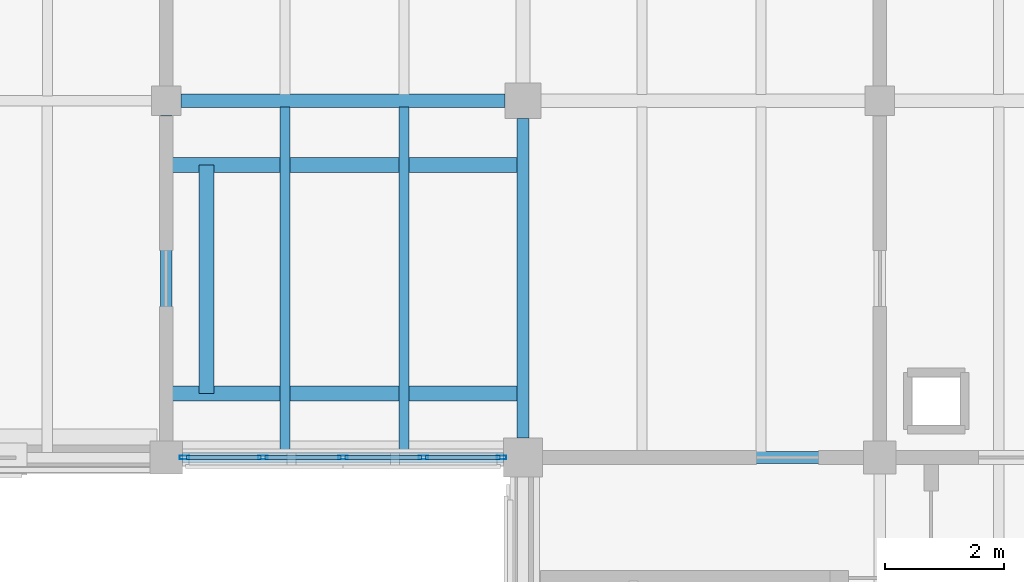
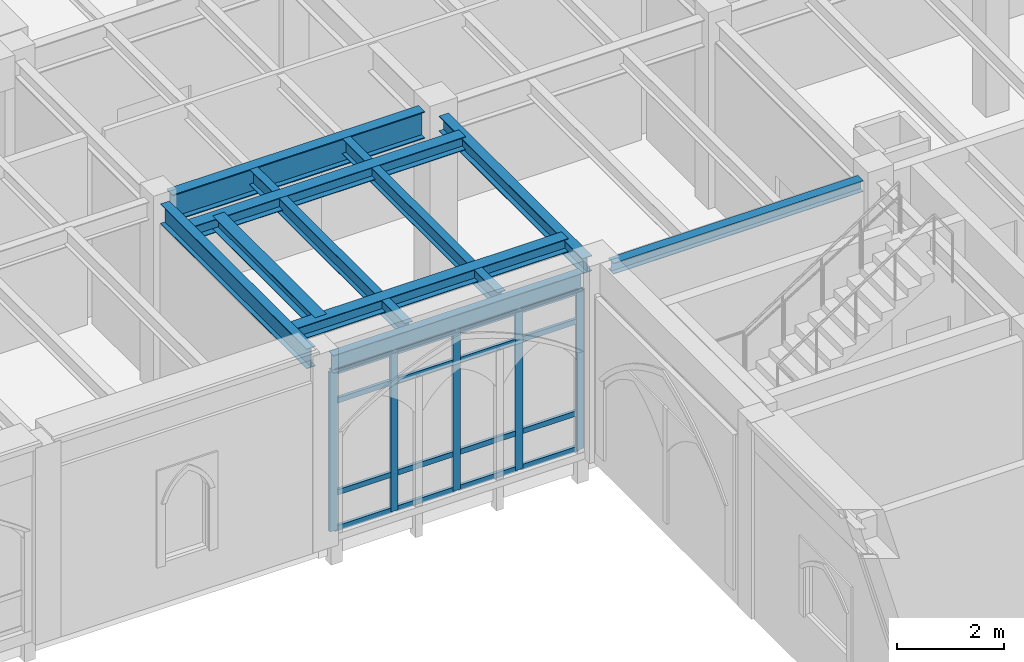
# One storey, part 28 of 143: 21 members, 10 beams, 1 element without a shape of its own.
"""IFC4 building model written with IfcOpenShell, lengths in metres."""

from ifc_helpers import new_model, si_unit, direction, frame, origin, origin_2d, place, context, subcontext, project, spatial, hollow_rectangle, i_section, extrude, material, layer, layer_set, material_profile, profile_set, type_object, element, aggregate, save


model = new_model("IFC4")

# Units and contexts
model_context = context("Model", 3, precision=1e-05, world=origin(), true_north=direction((0.0, 1.0)))
body_context = subcontext(model_context, "Body", "Model", "MODEL_VIEW")
ifc_project = project(units=[si_unit("LENGTHUNIT", "METRE"), si_unit("AREAUNIT", "SQUARE_METRE"), si_unit("VOLUMEUNIT", "CUBIC_METRE"), si_unit("PLANEANGLEUNIT", "RADIAN"), si_unit("MASSUNIT", "GRAM", prefix="KILO")], contexts=[model_context])

# Site, building, storey
site_placement = place(None, origin())
site = spatial("IfcSite", under=ifc_project, at=site_placement, CompositionType="ELEMENT")
building_placement = place(site_placement, origin())
building = spatial("IfcBuilding", under=site, at=building_placement, Name="Cumevento Cable Car Station", CompositionType="ELEMENT")
storey_placement = place(building_placement, frame((0.0, 0.0, 9.0)))
storey = spatial("IfcBuildingStorey", under=building, at=storey_placement, Name="L03", CompositionType="ELEMENT", Elevation=9.0)

# Curtain wall, members
ifc_material_1 = material(Name="Anodised Bronze Aluminium AW-6063-T6", Category="aluminium")
ifc_layer = layer(ifc_material_1, 0.2080078125)
ifc_layer_set = layer_set([ifc_layer], Name="Anodised Bronze Aluminium AW-6063-T6")
curtain_wall_type = type_object("IfcCurtainWallType", Name="Lancet Curtain Wall CW-09 1370", PredefinedType="NOTDEFINED", material=ifc_layer_set)
curtain_wall_placement = place(storey_placement, origin())
curtain_wall = element("IfcCurtainWall", 1, at=curtain_wall_placement, inside=storey, type_object=curtain_wall_type, Name="Lancet Curtain Wall CW-09 L03 #104", PredefinedType="NOTDEFINED")
ifc_material_2 = material(Name="Anodised Bronze Aluminium AW-6063-T6", Category="aluminium")
ifc_material_profile_1 = material_profile(ifc_material_2, hollow_rectangle(XDim=0.06494140625, YDim=0.159912109375, WallThickness=0.00390625, at=origin_2d()), Name="ALUM65x160x4")
ifc_profile_set_1 = profile_set([ifc_material_profile_1], Name="Anodised Bronze Aluminium AW-6063-T6")
member_type_1 = type_object("IfcMemberType", Name="Curtain Mullion CWM-01 ALUM65x160x4", PredefinedType="MULLION", material=ifc_profile_set_1)
member_1_placement = place(storey_placement, frame((57.642578125, 45.0, 0.159912109375), z_axis=(0.0, 0.0, 1.0), x_axis=(0.0, -1.0, 0.0)))
member_1 = element("IfcMember", 2, at=member_1_placement, type_object=member_type_1, Name="CW-09 mullion 1", PredefinedType="MULLION", context=body_context, shape_type="SweptSolid", body=[
    extrude(hollow_rectangle(XDim=0.06494140625, YDim=0.159912109375, WallThickness=0.00390625, at=origin_2d()), origin(), (0.0, 0.0, 1.0), 3.649169921875),
])
member_2_placement = place(storey_placement, frame((56.324951171875, 45.0, 0.159912109375), z_axis=(0.0, 0.0, 1.0), x_axis=(0.0, -1.0, 0.0)))
member_2 = element("IfcMember", 3, at=member_2_placement, type_object=member_type_1, Name="CW-09 mullion 2", PredefinedType="MULLION", context=body_context, shape_type="SweptSolid", body=[
    extrude(hollow_rectangle(XDim=0.06494140625, YDim=0.159912109375, WallThickness=0.00390625, at=origin_2d()), origin(), (0.0, 0.0, 1.0), 3.649169921875),
])
member_3_placement = place(storey_placement, frame((54.97509765625, 45.0, 0.159912109375), z_axis=(0.0, 0.0, 1.0), x_axis=(0.0, -1.0, 0.0)))
member_3 = element("IfcMember", 4, at=member_3_placement, type_object=member_type_1, Name="CW-09 mullion 3", PredefinedType="MULLION", context=body_context, shape_type="SweptSolid", body=[
    extrude(hollow_rectangle(XDim=0.06494140625, YDim=0.159912109375, WallThickness=0.00390625, at=origin_2d()), origin(), (0.0, 0.0, 1.0), 3.649169921875),
])
member_4_placement = place(storey_placement, frame((53.625, 45.0, 0.159912109375), z_axis=(0.0, 0.0, 1.0), x_axis=(0.0, -1.0, 0.0)))
member_4 = element("IfcMember", 5, at=member_4_placement, type_object=member_type_1, Name="CW-09 mullion 4", PredefinedType="MULLION", context=body_context, shape_type="SweptSolid", body=[
    extrude(hollow_rectangle(XDim=0.06494140625, YDim=0.159912109375, WallThickness=0.00390625, at=origin_2d()), origin(), (0.0, 0.0, 1.0), 3.649169921875),
])
member_5_placement = place(storey_placement, frame((52.3076171875, 45.0, 0.159912109375), z_axis=(0.0, 0.0, 1.0), x_axis=(0.0, -1.0, 0.0)))
member_5 = element("IfcMember", 6, at=member_5_placement, type_object=member_type_1, Name="CW-09 mullion 5", PredefinedType="MULLION", context=body_context, shape_type="SweptSolid", body=[
    extrude(hollow_rectangle(XDim=0.06494140625, YDim=0.159912109375, WallThickness=0.00390625, at=origin_2d()), origin(), (0.0, 0.0, 1.0), 3.649169921875),
])
ifc_material_3 = material(Name="Anodised Bronze Aluminium AW-6063-T6", Category="aluminium")
ifc_material_profile_2 = material_profile(ifc_material_3, hollow_rectangle(XDim=0.06494140625, YDim=0.1201171875, WallThickness=0.00390625, at=origin_2d()), Name="ALUT65x120x4")
ifc_profile_set_2 = profile_set([ifc_material_profile_2], Name="Anodised Bronze Aluminium AW-6063-T6")
member_type_2 = type_object("IfcMemberType", Name="Curtain Transom CWT-01 ALUT65x120x4", PredefinedType="USERDEFINED", material=ifc_profile_set_2)
member_6_placement = place(storey_placement, frame((57.610107421875, 45.0, 0.1923828125), z_axis=(-1.0, 0.0, 0.0), x_axis=(0.0, -1.0, 0.0)))
member_6 = element("IfcMember", 7, at=member_6_placement, type_object=member_type_2, Name="CW-09 transom 1.1", ObjectType="TRANSOM", PredefinedType="USERDEFINED", context=body_context, shape_type="SweptSolid", body=[
    extrude(hollow_rectangle(XDim=0.06494140625, YDim=0.1201171875, WallThickness=0.00390625, at=origin_2d()), origin(), (0.0, 0.0, 1.0), 1.252685546875),
])
member_7_placement = place(storey_placement, frame((57.610107421875, 45.0, 1.010009765625), z_axis=(-1.0, 0.0, 0.0), x_axis=(0.0, -1.0, 0.0)))
member_7 = element("IfcMember", 8, at=member_7_placement, type_object=member_type_2, Name="CW-09 transom 1.2", ObjectType="TRANSOM", PredefinedType="USERDEFINED", context=body_context, shape_type="SweptSolid", body=[
    extrude(hollow_rectangle(XDim=0.06494140625, YDim=0.1201171875, WallThickness=0.00390625, at=origin_2d()), origin(), (0.0, 0.0, 1.0), 1.252685546875),
])
member_8_placement = place(storey_placement, frame((57.610107421875, 45.0, 3.10888671875), z_axis=(-1.0, 0.0, 0.0), x_axis=(0.0, -1.0, 0.0)))
member_8 = element("IfcMember", 9, at=member_8_placement, type_object=member_type_2, Name="CW-09 transom 1.3", ObjectType="TRANSOM", PredefinedType="USERDEFINED", context=body_context, shape_type="SweptSolid", body=[
    extrude(hollow_rectangle(XDim=0.06494140625, YDim=0.1201171875, WallThickness=0.00390625, at=origin_2d()), origin(), (0.0, 0.0, 1.0), 1.252685546875),
])
member_9_placement = place(storey_placement, frame((57.610107421875, 45.0, 3.776611328125), z_axis=(-1.0, 0.0, 0.0), x_axis=(0.0, -1.0, 0.0)))
member_9 = element("IfcMember", 10, at=member_9_placement, type_object=member_type_2, Name="CW-09 transom 1.4", ObjectType="TRANSOM", PredefinedType="USERDEFINED", context=body_context, shape_type="SweptSolid", body=[
    extrude(hollow_rectangle(XDim=0.06494140625, YDim=0.1201171875, WallThickness=0.00390625, at=origin_2d()), origin(), (0.0, 0.0, 1.0), 1.252685546875),
])
member_10_placement = place(storey_placement, frame((56.29248046875, 45.0, 0.1923828125), z_axis=(-1.0, 0.0, 0.0), x_axis=(0.0, -1.0, 0.0)))
member_10 = element("IfcMember", 11, at=member_10_placement, type_object=member_type_2, Name="CW-09 transom 2.1", ObjectType="TRANSOM", PredefinedType="USERDEFINED", context=body_context, shape_type="SweptSolid", body=[
    extrude(hollow_rectangle(XDim=0.06494140625, YDim=0.1201171875, WallThickness=0.00390625, at=origin_2d()), origin(), (0.0, 0.0, 1.0), 1.284912109375),
])
member_11_placement = place(storey_placement, frame((56.29248046875, 45.0, 1.010009765625), z_axis=(-1.0, 0.0, 0.0), x_axis=(0.0, -1.0, 0.0)))
member_11 = element("IfcMember", 12, at=member_11_placement, type_object=member_type_2, Name="CW-09 transom 2.2", ObjectType="TRANSOM", PredefinedType="USERDEFINED", context=body_context, shape_type="SweptSolid", body=[
    extrude(hollow_rectangle(XDim=0.06494140625, YDim=0.1201171875, WallThickness=0.00390625, at=origin_2d()), origin(), (0.0, 0.0, 1.0), 1.284912109375),
])
member_12_placement = place(storey_placement, frame((56.29248046875, 45.0, 3.10888671875), z_axis=(-1.0, 0.0, 0.0), x_axis=(0.0, -1.0, 0.0)))
member_12 = element("IfcMember", 13, at=member_12_placement, type_object=member_type_2, Name="CW-09 transom 2.3", ObjectType="TRANSOM", PredefinedType="USERDEFINED", context=body_context, shape_type="SweptSolid", body=[
    extrude(hollow_rectangle(XDim=0.06494140625, YDim=0.1201171875, WallThickness=0.00390625, at=origin_2d()), origin(), (0.0, 0.0, 1.0), 1.284912109375),
])
member_13_placement = place(storey_placement, frame((56.29248046875, 45.0, 3.776611328125), z_axis=(-1.0, 0.0, 0.0), x_axis=(0.0, -1.0, 0.0)))
member_13 = element("IfcMember", 14, at=member_13_placement, type_object=member_type_2, Name="CW-09 transom 2.4", ObjectType="TRANSOM", PredefinedType="USERDEFINED", context=body_context, shape_type="SweptSolid", body=[
    extrude(hollow_rectangle(XDim=0.06494140625, YDim=0.1201171875, WallThickness=0.00390625, at=origin_2d()), origin(), (0.0, 0.0, 1.0), 1.284912109375),
])
member_14_placement = place(storey_placement, frame((54.9423828125, 45.0, 0.1923828125), z_axis=(-1.0, 0.0, 0.0), x_axis=(0.0, -1.0, 0.0)))
member_14 = element("IfcMember", 15, at=member_14_placement, type_object=member_type_2, Name="CW-09 transom 3.1", ObjectType="TRANSOM", PredefinedType="USERDEFINED", context=body_context, shape_type="SweptSolid", body=[
    extrude(hollow_rectangle(XDim=0.06494140625, YDim=0.1201171875, WallThickness=0.00390625, at=origin_2d()), origin(), (0.0, 0.0, 1.0), 1.284912109375),
])
member_15_placement = place(storey_placement, frame((54.9423828125, 45.0, 1.010009765625), z_axis=(-1.0, 0.0, 0.0), x_axis=(0.0, -1.0, 0.0)))
member_15 = element("IfcMember", 16, at=member_15_placement, type_object=member_type_2, Name="CW-09 transom 3.2", ObjectType="TRANSOM", PredefinedType="USERDEFINED", context=body_context, shape_type="SweptSolid", body=[
    extrude(hollow_rectangle(XDim=0.06494140625, YDim=0.1201171875, WallThickness=0.00390625, at=origin_2d()), origin(), (0.0, 0.0, 1.0), 1.284912109375),
])
member_16_placement = place(storey_placement, frame((54.9423828125, 45.0, 3.10888671875), z_axis=(-1.0, 0.0, 0.0), x_axis=(0.0, -1.0, 0.0)))
member_16 = element("IfcMember", 17, at=member_16_placement, type_object=member_type_2, Name="CW-09 transom 3.3", ObjectType="TRANSOM", PredefinedType="USERDEFINED", context=body_context, shape_type="SweptSolid", body=[
    extrude(hollow_rectangle(XDim=0.06494140625, YDim=0.1201171875, WallThickness=0.00390625, at=origin_2d()), origin(), (0.0, 0.0, 1.0), 1.284912109375),
])
member_17_placement = place(storey_placement, frame((54.9423828125, 45.0, 3.776611328125), z_axis=(-1.0, 0.0, 0.0), x_axis=(0.0, -1.0, 0.0)))
member_17 = element("IfcMember", 18, at=member_17_placement, type_object=member_type_2, Name="CW-09 transom 3.4", ObjectType="TRANSOM", PredefinedType="USERDEFINED", context=body_context, shape_type="SweptSolid", body=[
    extrude(hollow_rectangle(XDim=0.06494140625, YDim=0.1201171875, WallThickness=0.00390625, at=origin_2d()), origin(), (0.0, 0.0, 1.0), 1.284912109375),
])
member_18_placement = place(storey_placement, frame((53.592529296875, 45.0, 0.1923828125), z_axis=(-1.0, 0.0, 0.0), x_axis=(0.0, -1.0, 0.0)))
member_18 = element("IfcMember", 19, at=member_18_placement, type_object=member_type_2, Name="CW-09 transom 4.1", ObjectType="TRANSOM", PredefinedType="USERDEFINED", context=body_context, shape_type="SweptSolid", body=[
    extrude(hollow_rectangle(XDim=0.06494140625, YDim=0.1201171875, WallThickness=0.00390625, at=origin_2d()), origin(), (0.0, 0.0, 1.0), 1.25244140625),
])
member_19_placement = place(storey_placement, frame((53.592529296875, 45.0, 1.010009765625), z_axis=(-1.0, 0.0, 0.0), x_axis=(0.0, -1.0, 0.0)))
member_19 = element("IfcMember", 20, at=member_19_placement, type_object=member_type_2, Name="CW-09 transom 4.2", ObjectType="TRANSOM", PredefinedType="USERDEFINED", context=body_context, shape_type="SweptSolid", body=[
    extrude(hollow_rectangle(XDim=0.06494140625, YDim=0.1201171875, WallThickness=0.00390625, at=origin_2d()), origin(), (0.0, 0.0, 1.0), 1.25244140625),
])
member_20_placement = place(storey_placement, frame((53.592529296875, 45.0, 3.10888671875), z_axis=(-1.0, 0.0, 0.0), x_axis=(0.0, -1.0, 0.0)))
member_20 = element("IfcMember", 21, at=member_20_placement, type_object=member_type_2, Name="CW-09 transom 4.3", ObjectType="TRANSOM", PredefinedType="USERDEFINED", context=body_context, shape_type="SweptSolid", body=[
    extrude(hollow_rectangle(XDim=0.06494140625, YDim=0.1201171875, WallThickness=0.00390625, at=origin_2d()), origin(), (0.0, 0.0, 1.0), 1.25244140625),
])
member_21_placement = place(storey_placement, frame((53.592529296875, 45.0, 3.776611328125), z_axis=(-1.0, 0.0, 0.0), x_axis=(0.0, -1.0, 0.0)))
member_21 = element("IfcMember", 22, at=member_21_placement, type_object=member_type_2, Name="CW-09 transom 4.4", ObjectType="TRANSOM", PredefinedType="USERDEFINED", context=body_context, shape_type="SweptSolid", body=[
    extrude(hollow_rectangle(XDim=0.06494140625, YDim=0.1201171875, WallThickness=0.00390625, at=origin_2d()), origin(), (0.0, 0.0, 1.0), 1.25244140625),
])
aggregate(curtain_wall, [member_1, member_2, member_3, member_4, member_5, member_6, member_7, member_8, member_9, member_10, member_11, member_12, member_13, member_14, member_15, member_16, member_17, member_18, member_19, member_20, member_21])

# Beams
ifc_material_4 = material(Name="Steel ASTM A572 Grade 50", Category="steel")
ifc_material_profile_3 = material_profile(ifc_material_4, i_section(OverallWidth=0.22998046875, OverallDepth=0.616943359375, WebThickness=0.01318359375, FlangeThickness=0.022216796875, at=origin_2d()), Name="W610x140.0")
ifc_profile_set_3 = profile_set([ifc_material_profile_3], Name="Steel ASTM A572 Grade 50")
beam_type_1 = type_object("IfcBeamType", Name="Structural Beam BM-01 W610x140.0", PredefinedType="BEAM", material=ifc_profile_set_3)
beam_1_placement = place(storey_placement, frame((52.25, 51.0, 3.967529296875), z_axis=(1.0, 0.0, 0.0), x_axis=(0.0, 1.0, 0.0)))
element("IfcBeam", 23, at=beam_1_placement, inside=storey, type_object=beam_type_1, Name="Beam BM-01 L03 #1058", PredefinedType="BEAM", context=body_context, shape_type="SweptSolid", body=[
    extrude(i_section(OverallWidth=0.22998046875, OverallDepth=0.616943359375, WebThickness=0.01318359375, FlangeThickness=0.022216796875, at=origin_2d()), origin(), (0.0, 0.0, 1.0), 5.449951171875),
])
ifc_material_5 = material(Name="Steel ASTM A572 Grade 50", Category="steel")
ifc_material_profile_4 = material_profile(ifc_material_5, i_section(OverallWidth=0.18994140625, OverallDepth=0.45703125, WebThickness=0.009033203125, FlangeThickness=0.014404296875, at=origin_2d()), Name="W460x74.0")
ifc_profile_set_4 = profile_set([ifc_material_profile_4], Name="Steel ASTM A572 Grade 50")
beam_type_2 = type_object("IfcBeamType", Name="Structural Beam BM-04 W460x74.0", PredefinedType="BEAM", material=ifc_profile_set_4)
beam_2_placement = place(storey_placement, frame((52.0, 45.27490234375, 4.047607421875), z_axis=(0.0, 1.0, 0.0), x_axis=(-1.0, 0.0, 0.0)))
element("IfcBeam", 24, at=beam_2_placement, inside=storey, type_object=beam_type_2, Name="Beam BM-04 L03 #1046", PredefinedType="BEAM", context=body_context, shape_type="SweptSolid", body=[
    extrude(i_section(OverallWidth=0.18994140625, OverallDepth=0.45703125, WebThickness=0.009033203125, FlangeThickness=0.014404296875, at=origin_2d()), origin(), (0.0, 0.0, 1.0), 5.47509765625),
])
ifc_material_6 = material(Name="Steel ASTM A572 Grade 50", Category="steel")
ifc_material_profile_5 = material_profile(ifc_material_6, i_section(OverallWidth=0.205078125, OverallDepth=0.35400390625, WebThickness=0.009521484375, FlangeThickness=0.016845703125, at=origin_2d()), Name="W360x79.0")
ifc_profile_set_5 = profile_set([ifc_material_profile_5], Name="Steel ASTM A572 Grade 50")
beam_type_3 = type_object("IfcBeamType", Name="Structural Beam BM-05 W360x79.0", PredefinedType="BEAM", material=ifc_profile_set_5)
beam_3_placement = place(storey_placement, frame((58.0, 45.324951171875, 4.0390625), z_axis=(0.0, 1.0, 0.0), x_axis=(-1.0, 0.0, 0.0)))
element("IfcBeam", 25, at=beam_3_placement, inside=storey, type_object=beam_type_3, Name="Beam BM-05 L03 #1062", PredefinedType="BEAM", context=body_context, shape_type="SweptSolid", body=[
    extrude(i_section(OverallWidth=0.205078125, OverallDepth=0.35400390625, WebThickness=0.009521484375, FlangeThickness=0.016845703125, at=origin_2d()), origin(), (0.0, 0.0, 1.0), 5.375),
])
ifc_material_7 = material(Name="Steel ASTM A572 Grade 50", Category="steel")
ifc_material_profile_6 = material_profile(ifc_material_7, i_section(OverallWidth=0.25390625, OverallDepth=0.305908203125, WebThickness=0.0087890625, FlangeThickness=0.0146484375, at=origin_2d()), Name="W310x79.0")
ifc_profile_set_6 = profile_set([ifc_material_profile_6], Name="Steel ASTM A572 Grade 50")
beam_type_4 = type_object("IfcBeamType", Name="Structural Beam BM-06 W310x79.0", PredefinedType="BEAM", material=ifc_profile_set_6)
for number, where, z_axis, x_axis, name in (
    (26, (52.050048828125, 46.076904296875, 4.123046875), (1.0, 0.0, 0.0), (0.0, 1.0, 0.0), "Stairwell Curb Girder ST-13 #38"),
    (27, (52.050048828125, 49.923095703125, 4.123046875), (1.0, 0.0, 0.0), (0.0, 1.0, 0.0), "Stairwell Curb Girder ST-13 #39"),
):
    element("IfcBeam", number, at=place(storey_placement, frame(where, z_axis=z_axis, x_axis=x_axis)), inside=storey, type_object=beam_type_4, Name=name, PredefinedType="BEAM", context=body_context, shape_type="SweptSolid", body=[
        extrude(i_section(OverallWidth=0.25390625, OverallDepth=0.305908203125, WebThickness=0.0087890625, FlangeThickness=0.0146484375, at=origin_2d()), origin(), (0.0, 0.0, 1.0), 5.89990234375),
    ])
beam_4_placement = place(storey_placement, frame((52.677001953125, 46.076904296875, 4.123046875), z_axis=(0.0, 1.0, 0.0), x_axis=(-1.0, 0.0, 0.0)))
element("IfcBeam", 28, at=beam_4_placement, inside=storey, type_object=beam_type_4, Name="Stairwell Cross-Trimmer ST-13 #40", PredefinedType="BEAM", context=body_context, shape_type="SweptSolid", body=[
    extrude(i_section(OverallWidth=0.25390625, OverallDepth=0.305908203125, WebThickness=0.0087890625, FlangeThickness=0.0146484375, at=origin_2d()), origin(), (0.0, 0.0, 1.0), 3.84619140625),
])
ifc_material_8 = material(Name="Steel ASTM A572 Grade 50", Category="steel")
ifc_material_profile_7 = material_profile(ifc_material_8, i_section(OverallWidth=0.202880859375, OverallDepth=0.251953125, WebThickness=0.008056640625, FlangeThickness=0.013427734375, at=origin_2d()), Name="W250x58.0")
ifc_profile_set_7 = profile_set([ifc_material_profile_7], Name="Steel ASTM A572 Grade 50")
beam_type_5 = type_object("IfcBeamType", Name="Structural Beam BM-08 W250x58.0", PredefinedType="BEAM", material=ifc_profile_set_7)
beam_5_placement = place(storey_placement, frame((58.324951171875, 45.0, 4.090087890625), z_axis=(1.0, 0.0, 0.0), x_axis=(0.0, 1.0, 0.0)))
element("IfcBeam", 29, at=beam_5_placement, inside=storey, type_object=beam_type_5, Name="Beam BM-08 L03 #989", PredefinedType="BEAM", context=body_context, shape_type="SweptSolid", body=[
    extrude(i_section(OverallWidth=0.202880859375, OverallDepth=0.251953125, WebThickness=0.008056640625, FlangeThickness=0.013427734375, at=origin_2d()), origin(), (0.0, 0.0, 1.0), 5.400146484375),
])
ifc_material_9 = material(Name="Steel ASTM A572 Grade 50", Category="steel")
ifc_material_profile_8 = material_profile(ifc_material_9, i_section(OverallWidth=0.1708984375, OverallDepth=0.35498046875, WebThickness=0.007080078125, FlangeThickness=0.01171875, at=origin_2d()), Name="W360x51.0")
ifc_profile_set_8 = profile_set([ifc_material_profile_8], Name="Steel ASTM A572 Grade 50")
beam_type_6 = type_object("IfcBeamType", Name="Structural Joist JS-01 W360x51.0", PredefinedType="JOIST", material=ifc_profile_set_8)
for number, where, z_axis, x_axis, name in (
    (30, (54.0, 45.076904296875, 4.098388671875), (0.0, 1.0, 0.0), (-1.0, 0.0, 0.0), "Composite Floor Joist JS-01 L03 #1240"),
    (31, (56.0, 45.076904296875, 4.098388671875), (0.0, 1.0, 0.0), (-1.0, 0.0, 0.0), "Composite Floor Joist JS-01 L03 #1242"),
):
    element("IfcBeam", number, at=place(storey_placement, frame(where, z_axis=z_axis, x_axis=x_axis)), inside=storey, type_object=beam_type_6, Name=name, PredefinedType="JOIST", context=body_context, shape_type="SweptSolid", body=[
        extrude(i_section(OverallWidth=0.1708984375, OverallDepth=0.35498046875, WebThickness=0.007080078125, FlangeThickness=0.01171875, at=origin_2d()), origin(), (0.0, 0.0, 1.0), 5.820068359375),
    ])
ifc_material_10 = material(Name="Steel ASTM A572 Grade 50", Category="steel")
ifc_material_profile_9 = material_profile(ifc_material_10, i_section(OverallWidth=0.177978515625, OverallDepth=0.406982421875, WebThickness=0.0078125, FlangeThickness=0.0126953125, at=origin_2d()), Name="W410x60.0")
ifc_profile_set_9 = profile_set([ifc_material_profile_9], Name="Steel ASTM A572 Grade 50")
beam_type_7 = type_object("IfcBeamType", Name="Structural Spandrel SP-01 W410x60.0", PredefinedType="SPANDREL", material=ifc_profile_set_9)
beam_6_placement = place(storey_placement, frame((52.27490234375, 45.0, 4.012451171875), z_axis=(1.0, 0.0, 0.0), x_axis=(0.0, 1.0, 0.0)))
element("IfcBeam", 32, at=beam_6_placement, inside=storey, type_object=beam_type_7, Name="Beam SP-01 L03 #1057", PredefinedType="SPANDREL", context=body_context, shape_type="SweptSolid", body=[
    extrude(i_section(OverallWidth=0.177978515625, OverallDepth=0.406982421875, WebThickness=0.0078125, FlangeThickness=0.0126953125, at=origin_2d()), origin(), (0.0, 0.0, 1.0), 5.400146484375),
])

save(model, "model.ifc")
